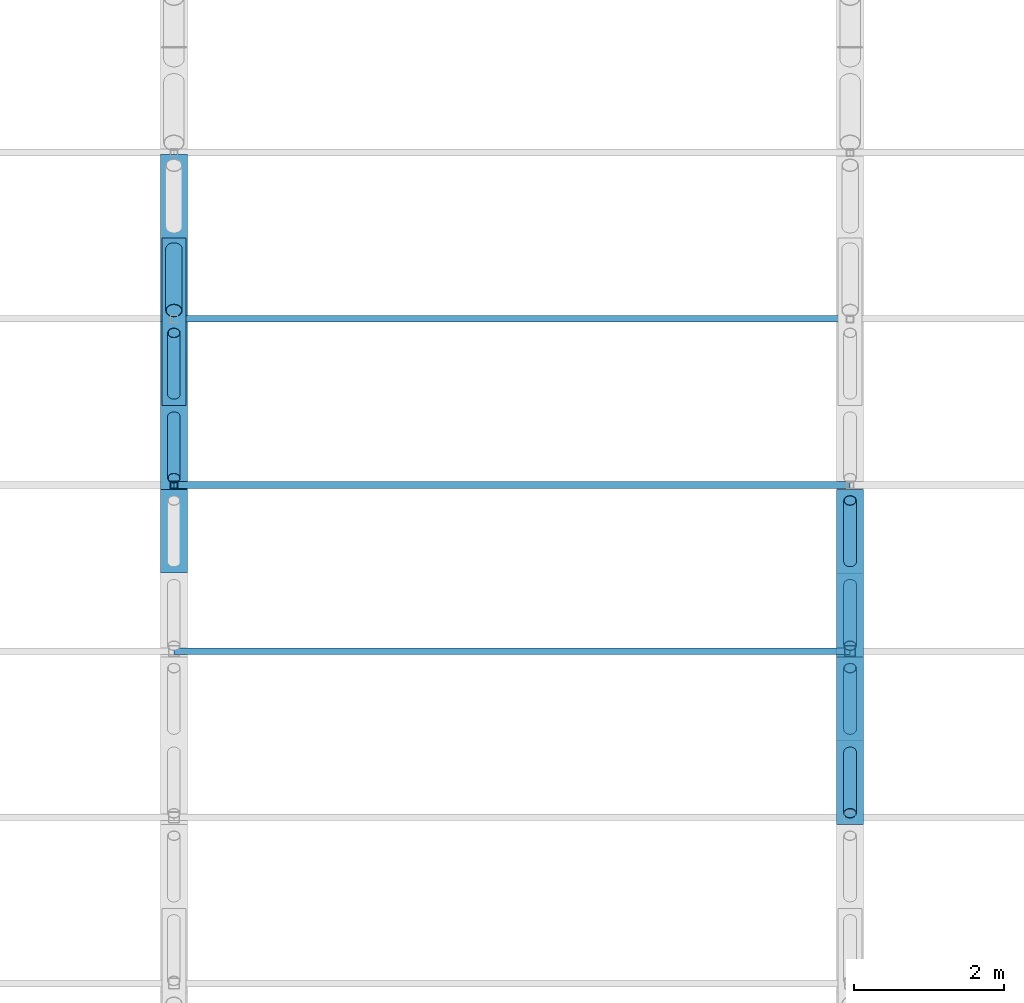
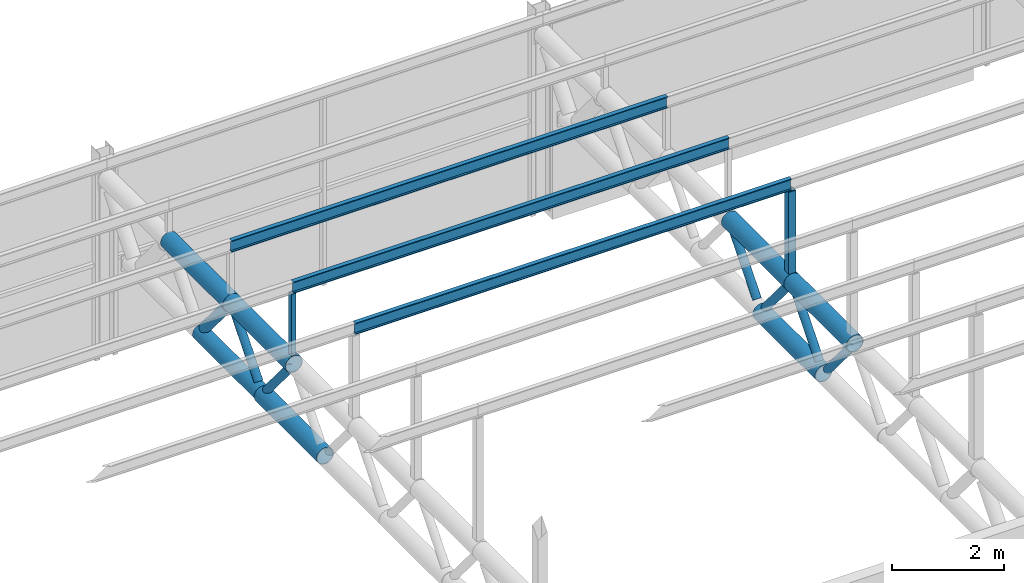
# One storey, part 48 of 138: 19 members.
"""IFC4 building model written with IfcOpenShell, lengths in metres."""

from ifc_helpers import new_model, si_unit, direction, frame, origin, origin_2d, place, context, subcontext, project, spatial, hollow_rectangle, hollow_circle, i_section, extrude, material, material_profile, profile_set, type_object, element, save


model = new_model("IFC4")

# Units and contexts
model_context = context("Model", 3, precision=1e-05, world=origin(), true_north=direction((0.0, 1.0)))
body_context = subcontext(model_context, "Body", "Model", "MODEL_VIEW")
ifc_project = project(units=[si_unit("LENGTHUNIT", "METRE"), si_unit("AREAUNIT", "SQUARE_METRE"), si_unit("VOLUMEUNIT", "CUBIC_METRE"), si_unit("PLANEANGLEUNIT", "RADIAN"), si_unit("MASSUNIT", "GRAM", prefix="KILO")], contexts=[model_context])

# Site, building, storey
site_placement = place(None, origin())
site = spatial("IfcSite", under=ifc_project, at=site_placement, CompositionType="ELEMENT")
building_placement = place(site_placement, origin())
building = spatial("IfcBuilding", under=site, at=building_placement, Name="Corbel Yard City Hall", CompositionType="ELEMENT")
storey_placement = place(building_placement, frame((0.0, 0.0, 10.5)))
storey = spatial("IfcBuildingStorey", under=building, at=storey_placement, Name="L02", CompositionType="ELEMENT", Elevation=10.5)

# Members
ifc_material_1 = material(Name="Steel Grade C350L0", Category="steel")
ifc_material_profile_1 = material_profile(ifc_material_1, hollow_circle(Radius=0.161865234375, WallThickness=0.0126953125, at=origin_2d()), Name="323.9x12.7CHS")
ifc_profile_set_1 = profile_set([ifc_material_profile_1], Name="Steel Grade C350L0")
member_type_1 = type_object("IfcMemberType", Name="Hall roof truss bottom chord 323.9x12.7CHS", PredefinedType="CHORD", material=ifc_profile_set_1)
member_1_placement = place(storey_placement, frame((81.0, 21.270263671875, 2.59228515625), z_axis=(0.0, 1.0, 0.0), x_axis=(-1.0, 0.0, 0.0)))
element("IfcMember", 1, at=member_1_placement, inside=storey, type_object=member_type_1, Name="Hall roof truss bottom chord 323.9x12.7CHS TC2", PredefinedType="CHORD", context=body_context, shape_type="SweptSolid", body=[
    extrude(hollow_circle(Radius=0.161865234375, WallThickness=0.0126953125, at=origin_2d()), origin(), (0.0, 0.0, 1.0), 2.230712890625),
])
ifc_material_profile_2 = material_profile(ifc_material_1, hollow_circle(Radius=0.177734375, WallThickness=0.0126953125, at=origin_2d()), Name="355.6x12.7CHS")
ifc_profile_set_2 = profile_set([ifc_material_profile_2], Name="Steel Grade C350L0")
member_type_2 = type_object("IfcMemberType", Name="Hall roof truss bottom chord 355.6x12.7CHS", PredefinedType="CHORD", material=ifc_profile_set_2)
for number, where, z_axis, x_axis, name in (
    (2, (81.0, 19.039306640625, 2.59228515625), (0.0, 1.0, 0.0), (-1.0, 0.0, 0.0), "Hall roof truss bottom chord 355.6x12.7CHS TC3"),
    (3, (90.0, 16.808349609375, 2.59228515625), (0.0, 1.0, 0.0), (-1.0, 0.0, 0.0), "Hall roof truss bottom chord 355.6x12.7CHS TC3"),
):
    element("IfcMember", number, at=place(storey_placement, frame(where, z_axis=z_axis, x_axis=x_axis)), inside=storey, type_object=member_type_2, Name=name, PredefinedType="CHORD", context=body_context, shape_type="SweptSolid", body=[
        extrude(hollow_circle(Radius=0.177734375, WallThickness=0.0126953125, at=origin_2d()), origin(), (0.0, 0.0, 1.0), 2.23095703125),
    ])
ifc_material_profile_3 = material_profile(ifc_material_1, hollow_circle(Radius=0.084228515625, WallThickness=0.007080078125, at=origin_2d()), Name="168.3x7.1CHS")
ifc_profile_set_3 = profile_set([ifc_material_profile_3], Name="Steel Grade C350L0")
member_type_3 = type_object("IfcMemberType", Name="Hall roof truss diagonal 168.3x7.1CHS", PredefinedType="STRUT", material=ifc_profile_set_3)
for number, where, z_axis, x_axis, name in (
    (4, (81.0, 20.3037109375, 3.744384765625), (0.0, 0.642692233301, -0.766124463292), (-1.0, 0.0, 0.0), "Hall roof truss diagonal 168.3x7.1CHS TD3"),
    (5, (81.0, 21.419189453125, 2.77001953125), (0.0, 0.642692233301, 0.766124463292), (-1.0, 0.0, 0.0), "Hall roof truss diagonal 168.3x7.1CHS TD3"),
    (6, (90.0, 15.842041015625, 3.744384765625), (0.0, 0.64257954038, -0.766218985855), (-1.0, 0.0, 0.0), "Hall roof truss diagonal 168.3x7.1CHS TD3"),
    (7, (90.0, 16.95751953125, 2.77001953125), (0.0, 0.64257954038, 0.766218985855), (-1.0, 0.0, 0.0), "Hall roof truss diagonal 168.3x7.1CHS TD3"),
    (8, (90.0, 18.07275390625, 3.744384765625), (0.0, 0.642692233301, -0.766124463292), (-1.0, 0.0, 0.0), "Hall roof truss diagonal 168.3x7.1CHS TD3"),
    (9, (90.0, 19.188232421875, 2.77001953125), (0.0, 0.642692233301, 0.766124463292), (-1.0, 0.0, 0.0), "Hall roof truss diagonal 168.3x7.1CHS TD3"),
):
    element("IfcMember", number, at=place(storey_placement, frame(where, z_axis=z_axis, x_axis=x_axis)), inside=storey, type_object=member_type_3, Name=name, PredefinedType="STRUT", context=body_context, shape_type="SweptSolid", body=[
        extrude(hollow_circle(Radius=0.084228515625, WallThickness=0.007080078125, at=origin_2d()), origin(), (0.0, 0.0, 1.0), 1.271728515625),
    ])
ifc_material_profile_4 = material_profile(ifc_material_1, hollow_circle(Radius=0.109619140625, WallThickness=0.00830078125, at=origin_2d()), Name="219.1x8.2CHS")
ifc_profile_set_4 = profile_set([ifc_material_profile_4], Name="Steel Grade C350L0")
member_type_4 = type_object("IfcMemberType", Name="Hall roof truss diagonal 219.1x8.2CHS", PredefinedType="STRUT", material=ifc_profile_set_4)
member_2_placement = place(storey_placement, frame((81.0, 22.53466796875, 3.744384765625), z_axis=(0.0, 0.642692233301, -0.766124463292), x_axis=(-1.0, 0.0, 0.0)))
element("IfcMember", 10, at=member_2_placement, inside=storey, type_object=member_type_4, Name="Hall roof truss diagonal 219.1x8.2CHS TD2", PredefinedType="STRUT", context=body_context, shape_type="SweptSolid", body=[
    extrude(hollow_circle(Radius=0.109619140625, WallThickness=0.00830078125, at=origin_2d()), origin(), (0.0, 0.0, 1.0), 1.271728515625),
])
ifc_material_profile_5 = material_profile(ifc_material_1, hollow_circle(Radius=0.177734375, WallThickness=0.0126953125, at=origin_2d()), Name="355.6x12.7CHS")
ifc_profile_set_5 = profile_set([ifc_material_profile_5], Name="Steel Grade C350L0")
member_type_5 = type_object("IfcMemberType", Name="Hall roof truss top chord 355.6x12.7CHS", PredefinedType="CHORD", material=ifc_profile_set_5)
member_3_placement = place(storey_placement, frame((81.0, 20.15478515625, 3.922119140625), z_axis=(0.0, 1.0, 0.0), x_axis=(-1.0, 0.0, 0.0)))
element("IfcMember", 11, at=member_3_placement, inside=storey, type_object=member_type_5, Name="Hall roof truss top chord 355.6x12.7CHS TC1", PredefinedType="CHORD", context=body_context, shape_type="SweptSolid", body=[
    extrude(hollow_circle(Radius=0.177734375, WallThickness=0.0126953125, at=origin_2d()), origin(), (0.0, 0.0, 1.0), 2.23095703125),
])
member_4_placement = place(storey_placement, frame((81.0, 22.3857421875, 3.922119140625), z_axis=(0.0, 1.0, 0.0), x_axis=(-1.0, 0.0, 0.0)))
element("IfcMember", 12, at=member_4_placement, inside=storey, type_object=member_type_5, Name="Hall roof truss top chord 355.6x12.7CHS TC1", PredefinedType="CHORD", context=body_context, shape_type="SweptSolid", body=[
    extrude(hollow_circle(Radius=0.177734375, WallThickness=0.0126953125, at=origin_2d()), origin(), (0.0, 0.0, 1.0), 2.230712890625),
])
for number, where, z_axis, x_axis, name in (
    (13, (90.0, 15.69287109375, 3.922119140625), (0.0, 1.0, 0.0), (-1.0, 0.0, 0.0), "Hall roof truss top chord 355.6x12.7CHS TC1"),
    (14, (90.0, 17.923828125, 3.922119140625), (0.0, 1.0, 0.0), (-1.0, 0.0, 0.0), "Hall roof truss top chord 355.6x12.7CHS TC1"),
):
    element("IfcMember", number, at=place(storey_placement, frame(where, z_axis=z_axis, x_axis=x_axis)), inside=storey, type_object=member_type_5, Name=name, PredefinedType="CHORD", context=body_context, shape_type="SweptSolid", body=[
        extrude(hollow_circle(Radius=0.177734375, WallThickness=0.0126953125, at=origin_2d()), origin(), (0.0, 0.0, 1.0), 2.23095703125),
    ])
ifc_material_2 = material(Name="Steel Grade 300 (300 MPa yield)", Category="steel")
ifc_material_profile_6 = material_profile(ifc_material_2, i_section(OverallWidth=0.090087890625, OverallDepth=0.25, WebThickness=0.008056640625, FlangeThickness=0.014892578125, at=origin_2d()), Name="250PFC")
ifc_profile_set_6 = profile_set([ifc_material_profile_6], Name="Steel Grade 300 (300 MPa yield)")
member_type_6 = type_object("IfcMemberType", Name="Purlin 250PFC", PredefinedType="PURLIN", material=ifc_profile_set_6)
for number, where, z_axis, x_axis, name in (
    (15, (81.0, 18.0, 6.01611328125), (1.0, 0.0, 0.0), (0.0, 1.0, 0.0), "Purlin 250PFC PU1"),
    (16, (81.0, 20.2119140625, 5.57373046875), (1.0, 0.0, 0.0), (0.0, 1.0, 0.0), "Purlin 250PFC PU1"),
    (17, (81.0, 22.423828125, 5.13134765625), (1.0, 0.0, 0.0), (0.0, 1.0, 0.0), "Purlin 250PFC PU1"),
):
    element("IfcMember", number, at=place(storey_placement, frame(where, z_axis=z_axis, x_axis=x_axis)), inside=storey, type_object=member_type_6, Name=name, PredefinedType="PURLIN", context=body_context, shape_type="SweptSolid", body=[
        extrude(i_section(OverallWidth=0.090087890625, OverallDepth=0.25, WebThickness=0.008056640625, FlangeThickness=0.014892578125, at=origin_2d()), origin(), (0.0, 0.0, 1.0), 9.0),
    ])
ifc_material_3 = material(Name="Steel Grade C450L0", Category="steel")
ifc_material_profile_7 = material_profile(ifc_material_3, hollow_rectangle(XDim=0.10009765625, YDim=0.10009765625, WallThickness=0.006103515625, at=origin_2d()), Name="100x100x6.0SHS")
ifc_profile_set_7 = profile_set([ifc_material_profile_7], Name="Steel Grade C450L0")
member_type_7 = type_object("IfcMemberType", Name="Roof post 100x100x6.0SHS", PredefinedType="POST", material=ifc_profile_set_7)
member_5_placement = place(storey_placement, frame((81.0, 20.2119140625, 4.10009765625), z_axis=(0.0, 0.0, 1.0), x_axis=(1.0, 0.0, 0.0)))
element("IfcMember", 18, at=member_5_placement, inside=storey, type_object=member_type_7, Name="Roof post 100x100x6.0SHS RP3", PredefinedType="POST", context=body_context, shape_type="SweptSolid", body=[
    extrude(hollow_rectangle(XDim=0.10009765625, YDim=0.10009765625, WallThickness=0.006103515625, at=origin_2d()), origin(), (0.0, 0.0, 1.0), 1.3486328125),
])
ifc_material_profile_8 = material_profile(ifc_material_3, hollow_rectangle(XDim=0.14990234375, YDim=0.14990234375, WallThickness=0.009033203125, at=origin_2d()), Name="150x150x9.0SHS")
ifc_profile_set_8 = profile_set([ifc_material_profile_8], Name="Steel Grade C450L0")
member_type_8 = type_object("IfcMemberType", Name="Roof post 150x150x9.0SHS", PredefinedType="POST", material=ifc_profile_set_8)
member_6_placement = place(storey_placement, frame((90.0, 18.0, 4.10009765625), z_axis=(0.0, 0.0, 1.0), x_axis=(1.0, 0.0, 0.0)))
element("IfcMember", 19, at=member_6_placement, inside=storey, type_object=member_type_8, Name="Roof post 150x150x9.0SHS RP2", PredefinedType="POST", context=body_context, shape_type="SweptSolid", body=[
    extrude(hollow_rectangle(XDim=0.14990234375, YDim=0.14990234375, WallThickness=0.009033203125, at=origin_2d()), origin(), (0.0, 0.0, 1.0), 1.791015625),
])

save(model, "model.ifc")
